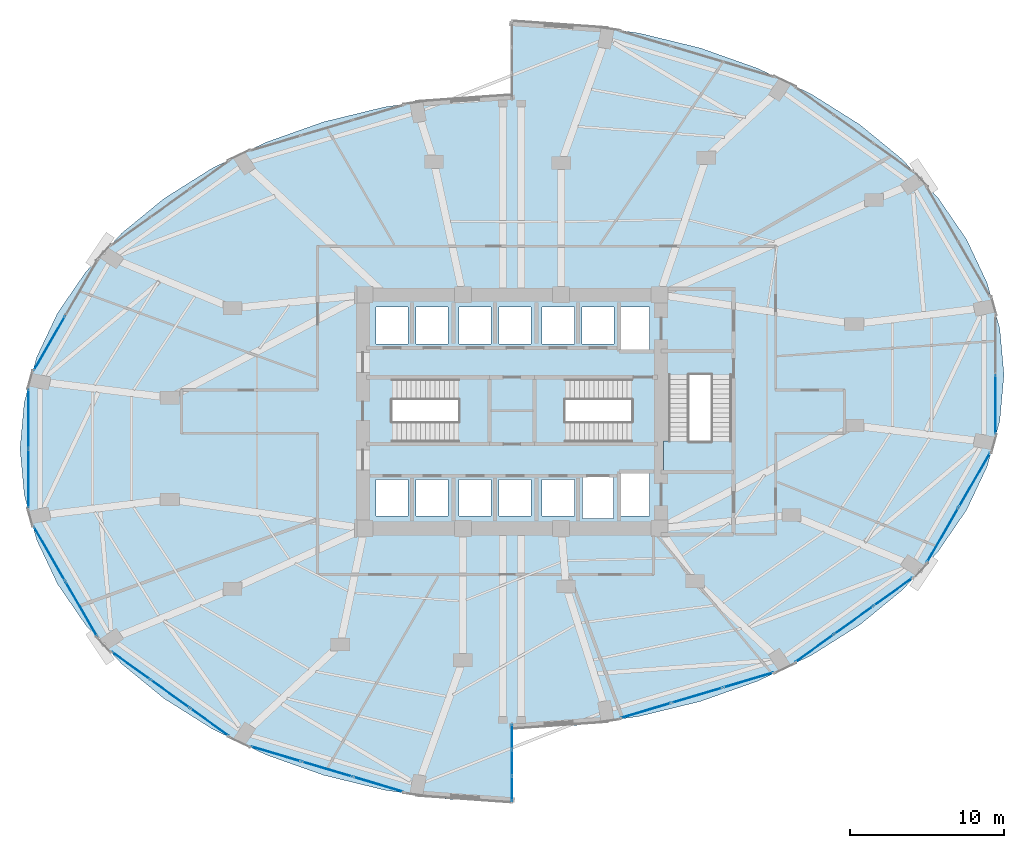
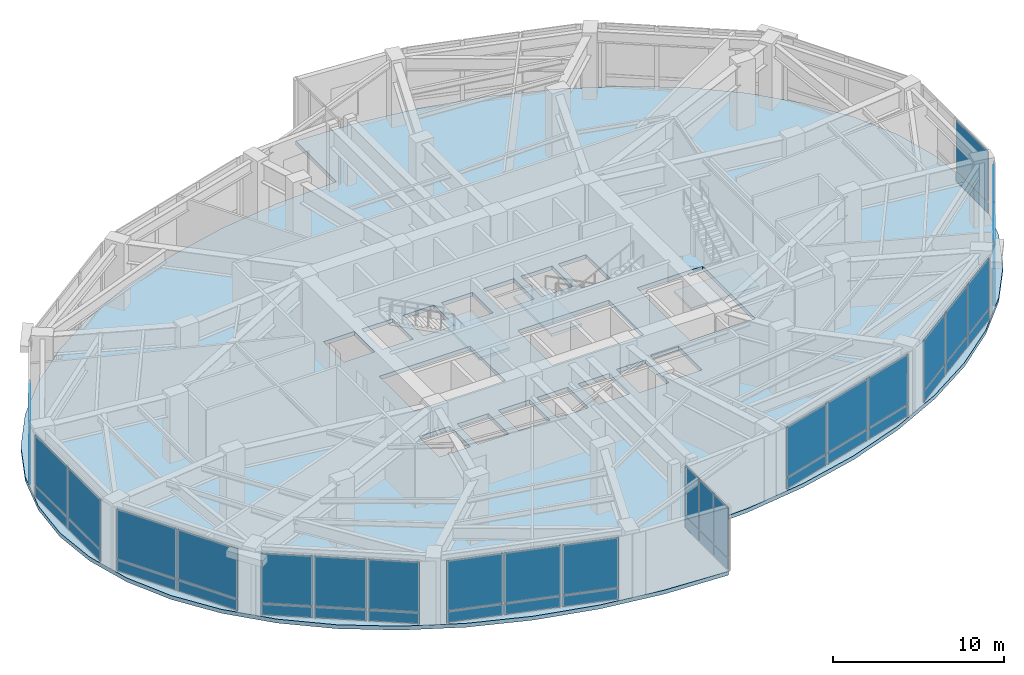
# One storey, part 19 of 24: 46 plates, 4 slabs, 13 elements without a shape of their own.
"""IFC4 building model written with IfcOpenShell, lengths in metres."""

from ifc_helpers import new_model, si_unit, direction, frame, origin, origin_2d, place, context, subcontext, project, spatial, polyline, rectangle, outline, extrude, material, layer, layer_set, type_object, element, aggregate, save


model = new_model("IFC4")

# Units and contexts
model_context = context("Model", 3, precision=1e-05, world=origin(), true_north=direction((0.0, 1.0)))
body_context = subcontext(model_context, "Body", "Model", "MODEL_VIEW")
ifc_project = project(units=[si_unit("LENGTHUNIT", "METRE"), si_unit("AREAUNIT", "SQUARE_METRE"), si_unit("VOLUMEUNIT", "CUBIC_METRE"), si_unit("PLANEANGLEUNIT", "RADIAN"), si_unit("MASSUNIT", "GRAM", prefix="KILO")], contexts=[model_context])

# Site, building, storey
site_placement = place(None, origin())
site = spatial("IfcSite", under=ifc_project, at=site_placement, CompositionType="ELEMENT")
building_placement = place(site_placement, origin())
building = spatial("IfcBuilding", under=site, at=building_placement, Name="Lazwardi Medical Tower", CompositionType="ELEMENT")
storey_placement = place(building_placement, frame((0.0, 0.0, 20.39990234375)))
storey = spatial("IfcBuildingStorey", under=building, at=storey_placement, Name="L04", CompositionType="ELEMENT", Elevation=20.39990234375)

# Curtain wall, plates
ifc_material_1 = material(Name="Anodised bronze aluminium and solar control glazing", Category="aluminium")
ifc_layer_1 = layer(ifc_material_1, 0.219970703125)
ifc_layer_set_1 = layer_set([ifc_layer_1], Name="Anodised bronze aluminium and solar control glazing")
curtain_wall_type_1 = type_object("IfcCurtainWallType", Name="CW-SYS-01", PredefinedType="NOTDEFINED", material=ifc_layer_set_1)
curtain_wall_1_placement = place(storey_placement, origin())
curtain_wall_1 = element("IfcCurtainWall", 1, at=curtain_wall_1_placement, inside=storey, type_object=curtain_wall_type_1, Name="L04 Unitised bronze curtain wall CW-01", PredefinedType="NOTDEFINED")
ifc_material_2 = material(Name="Bronze girih ceramic-frit spandrel glazing", Category="glass")
ifc_layer_2 = layer(ifc_material_2, 0.048095703125)
ifc_layer_set_2 = layer_set([ifc_layer_2], Name="Bronze girih ceramic-frit spandrel glazing")
plate_type_1 = type_object("IfcPlateType", Name="PLT-FRT-01", PredefinedType="CURTAIN_PANEL", material=ifc_layer_set_2)
plate_1_placement = place(storey_placement, frame((44.689453125, 8.552001953125, 0.085205078125), z_axis=(0.0, 0.0, 1.0), x_axis=(0.958513482597, 0.285047195531, 0.0)))
plate_1 = element("IfcPlate", 2, at=plate_1_placement, type_object=plate_type_1, Name="CW-01 panel 1.1", PredefinedType="CURTAIN_PANEL", context=body_context, shape_type="SweptSolid", body=[
    extrude(rectangle(XDim=3.380126953125, YDim=0.048095703125, at=origin_2d()), origin(), (0.0, 0.0, 1.0), 0.7724609375),
])
plate_2_placement = place(storey_placement, frame((48.031494140625, 9.5458984375, 0.085205078125), z_axis=(0.0, 0.0, 1.0), x_axis=(0.958513482597, 0.285047195531, 0.0)))
plate_2 = element("IfcPlate", 3, at=plate_2_placement, type_object=plate_type_1, Name="CW-01 panel 2.1", PredefinedType="CURTAIN_PANEL", context=body_context, shape_type="SweptSolid", body=[
    extrude(rectangle(XDim=3.422607421875, YDim=0.048095703125, at=origin_2d()), origin(), (0.0, 0.0, 1.0), 0.7724609375),
])
plate_3_placement = place(storey_placement, frame((51.373291015625, 10.539794921875, 0.085205078125), z_axis=(0.0, 0.0, 1.0), x_axis=(0.958513482597, 0.285047195531, 0.0)))
plate_3 = element("IfcPlate", 4, at=plate_3_placement, type_object=plate_type_1, Name="CW-01 panel 3.1", PredefinedType="CURTAIN_PANEL", context=body_context, shape_type="SweptSolid", body=[
    extrude(rectangle(XDim=3.380126953125, YDim=0.048095703125, at=origin_2d()), origin(), (0.0, 0.0, 1.0), 0.7724609375),
])

curtain_wall_2_placement = place(storey_placement, origin())
curtain_wall_2 = element("IfcCurtainWall", 5, at=curtain_wall_2_placement, inside=storey, type_object=curtain_wall_type_1, Name="L04 Unitised bronze curtain wall CW-01", PredefinedType="NOTDEFINED")
plate_4_placement = place(storey_placement, frame((55.675048828125, 12.603759765625, 0.085205078125), z_axis=(0.0, 0.0, 1.0), x_axis=(0.812318365083, 0.583214260584, 0.0)))
plate_4 = element("IfcPlate", 6, at=plate_4_placement, type_object=plate_type_1, Name="CW-01 panel 1.1", PredefinedType="CURTAIN_PANEL", context=body_context, shape_type="SweptSolid", body=[
    extrude(rectangle(XDim=3.040283203125, YDim=0.048095703125, at=origin_2d()), origin(), (0.0, 0.0, 1.0), 0.7724609375),
])
plate_5_placement = place(storey_placement, frame((58.231201171875, 14.43896484375, 0.085205078125), z_axis=(0.0, 0.0, 1.0), x_axis=(0.812318365083, 0.583214260584, 0.0)))
plate_5 = element("IfcPlate", 7, at=plate_5_placement, type_object=plate_type_1, Name="CW-01 panel 2.1", PredefinedType="CURTAIN_PANEL", context=body_context, shape_type="SweptSolid", body=[
    extrude(rectangle(XDim=3.082763671875, YDim=0.048095703125, at=origin_2d()), origin(), (0.0, 0.0, 1.0), 0.7724609375),
])
plate_6_placement = place(storey_placement, frame((60.787109375, 16.274169921875, 0.085205078125), z_axis=(0.0, 0.0, 1.0), x_axis=(0.812318365083, 0.583214260584, 0.0)))
plate_6 = element("IfcPlate", 8, at=plate_6_placement, type_object=plate_type_1, Name="CW-01 panel 3.1", PredefinedType="CURTAIN_PANEL", context=body_context, shape_type="SweptSolid", body=[
    extrude(rectangle(XDim=3.040283203125, YDim=0.048095703125, at=origin_2d()), origin(), (0.0, 0.0, 1.0), 0.7724609375),
])

curtain_wall_3_placement = place(storey_placement, origin())
curtain_wall_3 = element("IfcCurtainWall", 9, at=curtain_wall_3_placement, inside=storey, type_object=curtain_wall_type_1, Name="L04 Unitised bronze curtain wall CW-01", PredefinedType="NOTDEFINED")
plate_7_placement = place(storey_placement, frame((64.012451171875, 19.969970703125, 0.085205078125), z_axis=(0.0, 0.0, 1.0), x_axis=(0.499731082384, 0.866180607783, 0.0)))
plate_7 = element("IfcPlate", 10, at=plate_7_placement, type_object=plate_type_1, Name="CW-01 panel 1.1", PredefinedType="CURTAIN_PANEL", context=body_context, shape_type="SweptSolid", body=[
    extrude(rectangle(XDim=4.052734375, YDim=0.048095703125, at=origin_2d()), origin(), (0.0, 0.0, 1.0), 0.7724609375),
])
plate_8_placement = place(storey_placement, frame((66.080322265625, 23.553955078125, 0.085205078125), z_axis=(0.0, 0.0, 1.0), x_axis=(0.499731082384, 0.866180607783, 0.0)))
plate_8 = element("IfcPlate", 11, at=plate_8_placement, type_object=plate_type_1, Name="CW-01 panel 2.1", PredefinedType="CURTAIN_PANEL", context=body_context, shape_type="SweptSolid", body=[
    extrude(rectangle(XDim=4.052734375, YDim=0.048095703125, at=origin_2d()), origin(), (0.0, 0.0, 1.0), 0.7724609375),
])

# Curtain wall, plate
curtain_wall_4_placement = place(storey_placement, origin())
curtain_wall_4 = element("IfcCurtainWall", 12, at=curtain_wall_4_placement, inside=storey, type_object=curtain_wall_type_1, Name="L04 Unitised bronze curtain wall CW-01", PredefinedType="NOTDEFINED")
plate_9_placement = place(storey_placement, frame((67.439697265625, 28.461669921875, 0.085205078125), z_axis=(0.0, 0.0, 1.0), x_axis=(0.0, 1.0, 0.0)))
plate_9 = element("IfcPlate", 13, at=plate_9_placement, type_object=plate_type_1, Name="CW-01 panel 1.1", PredefinedType="CURTAIN_PANEL", context=body_context, shape_type="SweptSolid", body=[
    extrude(rectangle(XDim=3.791748046875, YDim=0.048095703125, at=origin_2d()), origin(), (0.0, 0.0, 1.0), 0.7724609375),
])

curtain_wall_5_placement = place(storey_placement, origin())
curtain_wall_5 = element("IfcCurtainWall", 14, at=curtain_wall_5_placement, inside=storey, type_object=curtain_wall_type_1, Name="L04 Unitised bronze curtain wall CW-01", PredefinedType="NOTDEFINED")
plate_10_placement = place(storey_placement, frame((5.919677734375, 32.446044921875, 0.085205078125), z_axis=(0.0, 0.0, 1.0), x_axis=(-0.499731082384, -0.866180607783, 0.0)))
plate_10 = element("IfcPlate", 15, at=plate_10_placement, type_object=plate_type_1, Name="CW-01 panel 2.1", PredefinedType="CURTAIN_PANEL", context=body_context, shape_type="SweptSolid", body=[
    extrude(rectangle(XDim=4.052734375, YDim=0.048095703125, at=origin_2d()), origin(), (0.0, 0.0, 1.0), 0.7724609375),
])

# Curtain wall, plates
curtain_wall_6_placement = place(storey_placement, origin())
curtain_wall_6 = element("IfcCurtainWall", 16, at=curtain_wall_6_placement, inside=storey, type_object=curtain_wall_type_1, Name="L04 Unitised bronze curtain wall CW-01", PredefinedType="NOTDEFINED")
plate_11_placement = place(storey_placement, frame((4.560302734375, 27.538330078125, 0.085205078125), z_axis=(0.0, 0.0, 1.0), x_axis=(0.0, -1.0, 0.0)))
plate_11 = element("IfcPlate", 17, at=plate_11_placement, type_object=plate_type_1, Name="CW-01 panel 1.1", PredefinedType="CURTAIN_PANEL", context=body_context, shape_type="SweptSolid", body=[
    extrude(rectangle(XDim=3.791748046875, YDim=0.048095703125, at=origin_2d()), origin(), (0.0, 0.0, 1.0), 0.7724609375),
])
plate_12_placement = place(storey_placement, frame((4.560302734375, 23.66162109375, 0.085205078125), z_axis=(0.0, 0.0, 1.0), x_axis=(0.0, -1.0, 0.0)))
plate_12 = element("IfcPlate", 18, at=plate_12_placement, type_object=plate_type_1, Name="CW-01 panel 2.1", PredefinedType="CURTAIN_PANEL", context=body_context, shape_type="SweptSolid", body=[
    extrude(rectangle(XDim=3.791748046875, YDim=0.048095703125, at=origin_2d()), origin(), (0.0, 0.0, 1.0), 0.7724609375),
])

curtain_wall_7_placement = place(storey_placement, origin())
curtain_wall_7 = element("IfcCurtainWall", 19, at=curtain_wall_7_placement, inside=storey, type_object=curtain_wall_type_1, Name="L04 Unitised bronze curtain wall CW-01", PredefinedType="NOTDEFINED")
plate_13_placement = place(storey_placement, frame((5.919677734375, 18.75390625, 0.085205078125), z_axis=(0.0, 0.0, 1.0), x_axis=(0.499731082384, -0.866180607783, 0.0)))
plate_13 = element("IfcPlate", 20, at=plate_13_placement, type_object=plate_type_1, Name="CW-01 panel 1.1", PredefinedType="CURTAIN_PANEL", context=body_context, shape_type="SweptSolid", body=[
    extrude(rectangle(XDim=4.052734375, YDim=0.048095703125, at=origin_2d()), origin(), (0.0, 0.0, 1.0), 0.7724609375),
])
plate_14_placement = place(storey_placement, frame((7.987548828125, 15.169921875, 0.085205078125), z_axis=(0.0, 0.0, 1.0), x_axis=(0.499731082384, -0.866180607783, 0.0)))
plate_14 = element("IfcPlate", 21, at=plate_14_placement, type_object=plate_type_1, Name="CW-01 panel 2.1", PredefinedType="CURTAIN_PANEL", context=body_context, shape_type="SweptSolid", body=[
    extrude(rectangle(XDim=4.052734375, YDim=0.048095703125, at=origin_2d()), origin(), (0.0, 0.0, 1.0), 0.7724609375),
])

curtain_wall_8_placement = place(storey_placement, origin())
curtain_wall_8 = element("IfcCurtainWall", 22, at=curtain_wall_8_placement, inside=storey, type_object=curtain_wall_type_1, Name="L04 Unitised bronze curtain wall CW-01", PredefinedType="NOTDEFINED")
plate_15_placement = place(storey_placement, frame((11.212890625, 11.47412109375, 0.085205078125), z_axis=(0.0, 0.0, 1.0), x_axis=(0.812318365083, -0.583214260584, 0.0)))
plate_15 = element("IfcPlate", 23, at=plate_15_placement, type_object=plate_type_1, Name="CW-01 panel 1.1", PredefinedType="CURTAIN_PANEL", context=body_context, shape_type="SweptSolid", body=[
    extrude(rectangle(XDim=3.040283203125, YDim=0.048095703125, at=origin_2d()), origin(), (0.0, 0.0, 1.0), 0.7724609375),
])
plate_16_placement = place(storey_placement, frame((13.768798828125, 9.638916015625, 0.085205078125), z_axis=(0.0, 0.0, 1.0), x_axis=(0.812318365083, -0.583214260584, 0.0)))
plate_16 = element("IfcPlate", 24, at=plate_16_placement, type_object=plate_type_1, Name="CW-01 panel 2.1", PredefinedType="CURTAIN_PANEL", context=body_context, shape_type="SweptSolid", body=[
    extrude(rectangle(XDim=3.082763671875, YDim=0.048095703125, at=origin_2d()), origin(), (0.0, 0.0, 1.0), 0.7724609375),
])
plate_17_placement = place(storey_placement, frame((16.324951171875, 7.803955078125, 0.085205078125), z_axis=(0.0, 0.0, 1.0), x_axis=(0.812318365083, -0.583214260584, 0.0)))
plate_17 = element("IfcPlate", 25, at=plate_17_placement, type_object=plate_type_1, Name="CW-01 panel 3.1", PredefinedType="CURTAIN_PANEL", context=body_context, shape_type="SweptSolid", body=[
    extrude(rectangle(XDim=3.040283203125, YDim=0.048095703125, at=origin_2d()), origin(), (0.0, 0.0, 1.0), 0.7724609375),
])

curtain_wall_9_placement = place(storey_placement, origin())
curtain_wall_9 = element("IfcCurtainWall", 26, at=curtain_wall_9_placement, inside=storey, type_object=curtain_wall_type_1, Name="L04 Unitised bronze curtain wall CW-01", PredefinedType="NOTDEFINED")
plate_18_placement = place(storey_placement, frame((20.626708984375, 5.73974609375, 0.085205078125), z_axis=(0.0, 0.0, 1.0), x_axis=(0.958513482597, -0.285047195531, 0.0)))
plate_18 = element("IfcPlate", 27, at=plate_18_placement, type_object=plate_type_1, Name="CW-01 panel 1.1", PredefinedType="CURTAIN_PANEL", context=body_context, shape_type="SweptSolid", body=[
    extrude(rectangle(XDim=3.380126953125, YDim=0.048095703125, at=origin_2d()), origin(), (0.0, 0.0, 1.0), 0.7724609375),
])
plate_19_placement = place(storey_placement, frame((23.968505859375, 4.745849609375, 0.085205078125), z_axis=(0.0, 0.0, 1.0), x_axis=(0.958513482597, -0.285047195531, 0.0)))
plate_19 = element("IfcPlate", 28, at=plate_19_placement, type_object=plate_type_1, Name="CW-01 panel 2.1", PredefinedType="CURTAIN_PANEL", context=body_context, shape_type="SweptSolid", body=[
    extrude(rectangle(XDim=3.422607421875, YDim=0.048095703125, at=origin_2d()), origin(), (0.0, 0.0, 1.0), 0.7724609375),
])
plate_20_placement = place(storey_placement, frame((27.310546875, 3.752197265625, 0.085205078125), z_axis=(0.0, 0.0, 1.0), x_axis=(0.958513482597, -0.285047195531, 0.0)))
plate_20 = element("IfcPlate", 29, at=plate_20_placement, type_object=plate_type_1, Name="CW-01 panel 3.1", PredefinedType="CURTAIN_PANEL", context=body_context, shape_type="SweptSolid", body=[
    extrude(rectangle(XDim=3.380126953125, YDim=0.048095703125, at=origin_2d()), origin(), (0.0, 0.0, 1.0), 0.7724609375),
])

# Plate
ifc_material_3 = material(Name="Laminated acoustic bronze double glazing", Category="glass")
ifc_layer_3 = layer(ifc_material_3, 0.0419921875)
ifc_layer_set_3 = layer_set([ifc_layer_3], Name="Laminated acoustic bronze double glazing")
plate_type_2 = type_object("IfcPlateType", Name="PLT-GLZ-02", PredefinedType="CURTAIN_PANEL", material=ifc_layer_set_3)
plate_21_placement = place(storey_placement, frame((44.689453125, 8.552001953125, 0.9423828125), z_axis=(0.0, 0.0, 1.0), x_axis=(0.958513482597, 0.285047195531, 0.0)))
plate_21 = element("IfcPlate", 30, at=plate_21_placement, type_object=plate_type_2, Name="CW-01 panel 1.2", PredefinedType="CURTAIN_PANEL", context=body_context, shape_type="SweptSolid", body=[
    extrude(rectangle(XDim=3.380126953125, YDim=0.0419921875, at=origin_2d()), origin(), (0.0, 0.0, 1.0), 3.552490234375),
])

plate_22_placement = place(storey_placement, frame((48.031494140625, 9.5458984375, 0.9423828125), z_axis=(0.0, 0.0, 1.0), x_axis=(0.958513482597, 0.285047195531, 0.0)))
plate_22 = element("IfcPlate", 31, at=plate_22_placement, type_object=plate_type_2, Name="CW-01 panel 2.2", PredefinedType="CURTAIN_PANEL", context=body_context, shape_type="SweptSolid", body=[
    extrude(rectangle(XDim=3.422607421875, YDim=0.0419921875, at=origin_2d()), origin(), (0.0, 0.0, 1.0), 3.552490234375),
])

plate_23_placement = place(storey_placement, frame((51.373291015625, 10.539794921875, 0.9423828125), z_axis=(0.0, 0.0, 1.0), x_axis=(0.958513482597, 0.285047195531, 0.0)))
plate_23 = element("IfcPlate", 32, at=plate_23_placement, type_object=plate_type_2, Name="CW-01 panel 3.2", PredefinedType="CURTAIN_PANEL", context=body_context, shape_type="SweptSolid", body=[
    extrude(rectangle(XDim=3.380126953125, YDim=0.0419921875, at=origin_2d()), origin(), (0.0, 0.0, 1.0), 3.552490234375),
])

aggregate(curtain_wall_1, [plate_1, plate_21, plate_2, plate_22, plate_3, plate_23])

plate_24_placement = place(storey_placement, frame((55.675048828125, 12.603759765625, 0.9423828125), z_axis=(0.0, 0.0, 1.0), x_axis=(0.812318365083, 0.583214260584, 0.0)))
plate_24 = element("IfcPlate", 33, at=plate_24_placement, type_object=plate_type_2, Name="CW-01 panel 1.2", PredefinedType="CURTAIN_PANEL", context=body_context, shape_type="SweptSolid", body=[
    extrude(rectangle(XDim=3.040283203125, YDim=0.0419921875, at=origin_2d()), origin(), (0.0, 0.0, 1.0), 3.552490234375),
])

plate_25_placement = place(storey_placement, frame((58.231201171875, 14.43896484375, 0.9423828125), z_axis=(0.0, 0.0, 1.0), x_axis=(0.812318365083, 0.583214260584, 0.0)))
plate_25 = element("IfcPlate", 34, at=plate_25_placement, type_object=plate_type_2, Name="CW-01 panel 2.2", PredefinedType="CURTAIN_PANEL", context=body_context, shape_type="SweptSolid", body=[
    extrude(rectangle(XDim=3.082763671875, YDim=0.0419921875, at=origin_2d()), origin(), (0.0, 0.0, 1.0), 3.552490234375),
])

plate_26_placement = place(storey_placement, frame((60.787109375, 16.274169921875, 0.9423828125), z_axis=(0.0, 0.0, 1.0), x_axis=(0.812318365083, 0.583214260584, 0.0)))
plate_26 = element("IfcPlate", 35, at=plate_26_placement, type_object=plate_type_2, Name="CW-01 panel 3.2", PredefinedType="CURTAIN_PANEL", context=body_context, shape_type="SweptSolid", body=[
    extrude(rectangle(XDim=3.040283203125, YDim=0.0419921875, at=origin_2d()), origin(), (0.0, 0.0, 1.0), 3.552490234375),
])

aggregate(curtain_wall_2, [plate_4, plate_24, plate_5, plate_25, plate_6, plate_26])

plate_27_placement = place(storey_placement, frame((64.012451171875, 19.969970703125, 0.9423828125), z_axis=(0.0, 0.0, 1.0), x_axis=(0.499731082384, 0.866180607783, 0.0)))
plate_27 = element("IfcPlate", 36, at=plate_27_placement, type_object=plate_type_2, Name="CW-01 panel 1.2", PredefinedType="CURTAIN_PANEL", context=body_context, shape_type="SweptSolid", body=[
    extrude(rectangle(XDim=4.052734375, YDim=0.0419921875, at=origin_2d()), origin(), (0.0, 0.0, 1.0), 3.552490234375),
])

plate_28_placement = place(storey_placement, frame((66.080322265625, 23.553955078125, 0.9423828125), z_axis=(0.0, 0.0, 1.0), x_axis=(0.499731082384, 0.866180607783, 0.0)))
plate_28 = element("IfcPlate", 37, at=plate_28_placement, type_object=plate_type_2, Name="CW-01 panel 2.2", PredefinedType="CURTAIN_PANEL", context=body_context, shape_type="SweptSolid", body=[
    extrude(rectangle(XDim=4.052734375, YDim=0.0419921875, at=origin_2d()), origin(), (0.0, 0.0, 1.0), 3.552490234375),
])

aggregate(curtain_wall_3, [plate_7, plate_27, plate_8, plate_28])

plate_29_placement = place(storey_placement, frame((67.439697265625, 28.461669921875, 0.9423828125), z_axis=(0.0, 0.0, 1.0), x_axis=(0.0, 1.0, 0.0)))
plate_29 = element("IfcPlate", 38, at=plate_29_placement, type_object=plate_type_2, Name="CW-01 panel 1.2", PredefinedType="CURTAIN_PANEL", context=body_context, shape_type="SweptSolid", body=[
    extrude(rectangle(XDim=3.791748046875, YDim=0.0419921875, at=origin_2d()), origin(), (0.0, 0.0, 1.0), 3.552490234375),
])

aggregate(curtain_wall_4, [plate_9, plate_29])

plate_30_placement = place(storey_placement, frame((5.919677734375, 32.446044921875, 0.9423828125), z_axis=(0.0, 0.0, 1.0), x_axis=(-0.499731082384, -0.866180607783, 0.0)))
plate_30 = element("IfcPlate", 39, at=plate_30_placement, type_object=plate_type_2, Name="CW-01 panel 2.2", PredefinedType="CURTAIN_PANEL", context=body_context, shape_type="SweptSolid", body=[
    extrude(rectangle(XDim=4.052734375, YDim=0.0419921875, at=origin_2d()), origin(), (0.0, 0.0, 1.0), 3.552490234375),
])

aggregate(curtain_wall_5, [plate_10, plate_30])

plate_31_placement = place(storey_placement, frame((4.560302734375, 27.538330078125, 0.9423828125), z_axis=(0.0, 0.0, 1.0), x_axis=(0.0, -1.0, 0.0)))
plate_31 = element("IfcPlate", 40, at=plate_31_placement, type_object=plate_type_2, Name="CW-01 panel 1.2", PredefinedType="CURTAIN_PANEL", context=body_context, shape_type="SweptSolid", body=[
    extrude(rectangle(XDim=3.791748046875, YDim=0.0419921875, at=origin_2d()), origin(), (0.0, 0.0, 1.0), 3.552490234375),
])

plate_32_placement = place(storey_placement, frame((4.560302734375, 23.66162109375, 0.9423828125), z_axis=(0.0, 0.0, 1.0), x_axis=(0.0, -1.0, 0.0)))
plate_32 = element("IfcPlate", 41, at=plate_32_placement, type_object=plate_type_2, Name="CW-01 panel 2.2", PredefinedType="CURTAIN_PANEL", context=body_context, shape_type="SweptSolid", body=[
    extrude(rectangle(XDim=3.791748046875, YDim=0.0419921875, at=origin_2d()), origin(), (0.0, 0.0, 1.0), 3.552490234375),
])

aggregate(curtain_wall_6, [plate_11, plate_31, plate_12, plate_32])

plate_33_placement = place(storey_placement, frame((5.919677734375, 18.75390625, 0.9423828125), z_axis=(0.0, 0.0, 1.0), x_axis=(0.499731082384, -0.866180607783, 0.0)))
plate_33 = element("IfcPlate", 42, at=plate_33_placement, type_object=plate_type_2, Name="CW-01 panel 1.2", PredefinedType="CURTAIN_PANEL", context=body_context, shape_type="SweptSolid", body=[
    extrude(rectangle(XDim=4.052734375, YDim=0.0419921875, at=origin_2d()), origin(), (0.0, 0.0, 1.0), 3.552490234375),
])

plate_34_placement = place(storey_placement, frame((7.987548828125, 15.169921875, 0.9423828125), z_axis=(0.0, 0.0, 1.0), x_axis=(0.499731082384, -0.866180607783, 0.0)))
plate_34 = element("IfcPlate", 43, at=plate_34_placement, type_object=plate_type_2, Name="CW-01 panel 2.2", PredefinedType="CURTAIN_PANEL", context=body_context, shape_type="SweptSolid", body=[
    extrude(rectangle(XDim=4.052734375, YDim=0.0419921875, at=origin_2d()), origin(), (0.0, 0.0, 1.0), 3.552490234375),
])

aggregate(curtain_wall_7, [plate_13, plate_33, plate_14, plate_34])

plate_35_placement = place(storey_placement, frame((11.212890625, 11.47412109375, 0.9423828125), z_axis=(0.0, 0.0, 1.0), x_axis=(0.812318365083, -0.583214260584, 0.0)))
plate_35 = element("IfcPlate", 44, at=plate_35_placement, type_object=plate_type_2, Name="CW-01 panel 1.2", PredefinedType="CURTAIN_PANEL", context=body_context, shape_type="SweptSolid", body=[
    extrude(rectangle(XDim=3.040283203125, YDim=0.0419921875, at=origin_2d()), origin(), (0.0, 0.0, 1.0), 3.552490234375),
])

plate_36_placement = place(storey_placement, frame((13.768798828125, 9.638916015625, 0.9423828125), z_axis=(0.0, 0.0, 1.0), x_axis=(0.812318365083, -0.583214260584, 0.0)))
plate_36 = element("IfcPlate", 45, at=plate_36_placement, type_object=plate_type_2, Name="CW-01 panel 2.2", PredefinedType="CURTAIN_PANEL", context=body_context, shape_type="SweptSolid", body=[
    extrude(rectangle(XDim=3.082763671875, YDim=0.0419921875, at=origin_2d()), origin(), (0.0, 0.0, 1.0), 3.552490234375),
])

plate_37_placement = place(storey_placement, frame((16.324951171875, 7.803955078125, 0.9423828125), z_axis=(0.0, 0.0, 1.0), x_axis=(0.812318365083, -0.583214260584, 0.0)))
plate_37 = element("IfcPlate", 46, at=plate_37_placement, type_object=plate_type_2, Name="CW-01 panel 3.2", PredefinedType="CURTAIN_PANEL", context=body_context, shape_type="SweptSolid", body=[
    extrude(rectangle(XDim=3.040283203125, YDim=0.0419921875, at=origin_2d()), origin(), (0.0, 0.0, 1.0), 3.552490234375),
])

aggregate(curtain_wall_8, [plate_15, plate_35, plate_16, plate_36, plate_17, plate_37])

plate_38_placement = place(storey_placement, frame((20.626708984375, 5.73974609375, 0.9423828125), z_axis=(0.0, 0.0, 1.0), x_axis=(0.958513482597, -0.285047195531, 0.0)))
plate_38 = element("IfcPlate", 47, at=plate_38_placement, type_object=plate_type_2, Name="CW-01 panel 1.2", PredefinedType="CURTAIN_PANEL", context=body_context, shape_type="SweptSolid", body=[
    extrude(rectangle(XDim=3.380126953125, YDim=0.0419921875, at=origin_2d()), origin(), (0.0, 0.0, 1.0), 3.552490234375),
])

plate_39_placement = place(storey_placement, frame((23.968505859375, 4.745849609375, 0.9423828125), z_axis=(0.0, 0.0, 1.0), x_axis=(0.958513482597, -0.285047195531, 0.0)))
plate_39 = element("IfcPlate", 48, at=plate_39_placement, type_object=plate_type_2, Name="CW-01 panel 2.2", PredefinedType="CURTAIN_PANEL", context=body_context, shape_type="SweptSolid", body=[
    extrude(rectangle(XDim=3.422607421875, YDim=0.0419921875, at=origin_2d()), origin(), (0.0, 0.0, 1.0), 3.552490234375),
])

plate_40_placement = place(storey_placement, frame((27.310546875, 3.752197265625, 0.9423828125), z_axis=(0.0, 0.0, 1.0), x_axis=(0.958513482597, -0.285047195531, 0.0)))
plate_40 = element("IfcPlate", 49, at=plate_40_placement, type_object=plate_type_2, Name="CW-01 panel 3.2", PredefinedType="CURTAIN_PANEL", context=body_context, shape_type="SweptSolid", body=[
    extrude(rectangle(XDim=3.380126953125, YDim=0.0419921875, at=origin_2d()), origin(), (0.0, 0.0, 1.0), 3.552490234375),
])

aggregate(curtain_wall_9, [plate_18, plate_38, plate_19, plate_39, plate_20, plate_40])

# Curtain wall, plates
ifc_layer_4 = layer(ifc_material_1, 0.2099609375)
ifc_layer_set_4 = layer_set([ifc_layer_4], Name="Anodised bronze aluminium and solar control glazing")
curtain_wall_type_2 = type_object("IfcCurtainWallType", Name="CW-SYS-06", PredefinedType="NOTDEFINED", material=ifc_layer_set_4)
curtain_wall_10_placement = place(storey_placement, origin())
curtain_wall_10 = element("IfcCurtainWall", 50, at=curtain_wall_10_placement, inside=storey, type_object=curtain_wall_type_2, Name="L04 Unitised bronze curtain wall CW-06", PredefinedType="NOTDEFINED")
ifc_material_4 = material(Name="Turquoise glazed ceramic insulated panel", Category="glass")
ifc_layer_5 = layer(ifc_material_4, 0.053955078125)
ifc_layer_set_5 = layer_set([ifc_layer_5], Name="Turquoise glazed ceramic insulated panel")
plate_type_3 = type_object("IfcPlateType", Name="PLT-TRQ-01", PredefinedType="CURTAIN_PANEL", material=ifc_layer_set_5)
plate_41_placement = place(storey_placement, frame((36.0, 3.47216796875, 0.074951171875), z_axis=(0.0, 0.0, 1.0), x_axis=(0.0, 1.0, 0.0)))
plate_41 = element("IfcPlate", 51, at=plate_41_placement, type_object=plate_type_3, Name="CW-06 panel 1.1", PredefinedType="CURTAIN_PANEL", context=body_context, shape_type="SweptSolid", body=[
    extrude(rectangle(XDim=1.59423828125, YDim=0.053955078125, at=origin_2d()), origin(), (0.0, 0.0, 1.0), 0.78759765625),
])
plate_42_placement = place(storey_placement, frame((36.0, 3.47216796875, 0.937744140625), z_axis=(0.0, 0.0, 1.0), x_axis=(0.0, 1.0, 0.0)))
plate_42 = element("IfcPlate", 52, at=plate_42_placement, type_object=plate_type_3, Name="CW-06 panel 1.2", PredefinedType="CURTAIN_PANEL", context=body_context, shape_type="SweptSolid", body=[
    extrude(rectangle(XDim=1.59423828125, YDim=0.053955078125, at=origin_2d()), origin(), (0.0, 0.0, 1.0), 3.5673828125),
])
plate_43_placement = place(storey_placement, frame((36.0, 5.159912109375, 0.074951171875), z_axis=(0.0, 0.0, 1.0), x_axis=(0.0, 1.0, 0.0)))
plate_43 = element("IfcPlate", 53, at=plate_43_placement, type_object=plate_type_3, Name="CW-06 panel 2.1", PredefinedType="CURTAIN_PANEL", context=body_context, shape_type="SweptSolid", body=[
    extrude(rectangle(XDim=1.631591796875, YDim=0.053955078125, at=origin_2d()), origin(), (0.0, 0.0, 1.0), 0.78759765625),
])
plate_44_placement = place(storey_placement, frame((36.0, 5.159912109375, 0.937744140625), z_axis=(0.0, 0.0, 1.0), x_axis=(0.0, 1.0, 0.0)))
plate_44 = element("IfcPlate", 54, at=plate_44_placement, type_object=plate_type_3, Name="CW-06 panel 2.2", PredefinedType="CURTAIN_PANEL", context=body_context, shape_type="SweptSolid", body=[
    extrude(rectangle(XDim=1.631591796875, YDim=0.053955078125, at=origin_2d()), origin(), (0.0, 0.0, 1.0), 3.5673828125),
])
plate_45_placement = place(storey_placement, frame((36.0, 6.847900390625, 0.074951171875), z_axis=(0.0, 0.0, 1.0), x_axis=(0.0, 1.0, 0.0)))
plate_45 = element("IfcPlate", 55, at=plate_45_placement, type_object=plate_type_3, Name="CW-06 panel 3.1", PredefinedType="CURTAIN_PANEL", context=body_context, shape_type="SweptSolid", body=[
    extrude(rectangle(XDim=1.59423828125, YDim=0.053955078125, at=origin_2d()), origin(), (0.0, 0.0, 1.0), 0.78759765625),
])
plate_46_placement = place(storey_placement, frame((36.0, 6.847900390625, 0.937744140625), z_axis=(0.0, 0.0, 1.0), x_axis=(0.0, 1.0, 0.0)))
plate_46 = element("IfcPlate", 56, at=plate_46_placement, type_object=plate_type_3, Name="CW-06 panel 3.2", PredefinedType="CURTAIN_PANEL", context=body_context, shape_type="SweptSolid", body=[
    extrude(rectangle(XDim=1.59423828125, YDim=0.053955078125, at=origin_2d()), origin(), (0.0, 0.0, 1.0), 3.5673828125),
])
aggregate(curtain_wall_10, [plate_41, plate_42, plate_43, plate_44, plate_45, plate_46])

# Stair, slab
ifc_material_5 = material(Name="Concrete C45/55", Category="concrete")
stair_type = type_object("IfcStairType", Name="STR-POD", PredefinedType="HALF_TURN_STAIR", material=ifc_material_5)
stair_1_placement = place(storey_placement, origin())
stair_1 = element("IfcStair", 57, at=stair_1_placement, inside=storey, type_object=stair_type, Name="L04 Protected Exit Stair ST1", PredefinedType="HALF_TURN_STAIR")
ifc_layer_6 = layer(ifc_material_5, 0.199951171875)
ifc_layer_set_6 = layer_set([ifc_layer_6], Name="Concrete C45/55")
slab_type_1 = type_object("IfcSlabType", Name="SLB-LND-190", PredefinedType="LANDING", material=ifc_layer_set_6)
slab_1_placement = place(storey_placement, frame((0.0, 0.0, 2.2001953125)))
slab_1 = element("IfcSlab", 58, at=slab_1_placement, type_object=slab_type_1, Name="ST1 landing 1", PredefinedType="LANDING", context=body_context, shape_type="SweptSolid", body=[
    extrude(outline(polyline([(32.514892578125, 25.840087890625), (34.580078125, 25.840087890625), (34.580078125, 30.280029296875), (32.514892578125, 30.280029296875), (32.514892578125, 25.840087890625)])), origin(), (0.0, 0.0, 1.0), 0.199951171875),
])
aggregate(stair_1, [slab_1])

stair_2_placement = place(storey_placement, origin())
stair_2 = element("IfcStair", 59, at=stair_2_placement, inside=storey, type_object=stair_type, Name="L04 Protected Exit Stair ST2", PredefinedType="HALF_TURN_STAIR")
slab_2_placement = place(storey_placement, frame((0.0, 0.0, 2.2001953125)))
slab_2 = element("IfcSlab", 60, at=slab_2_placement, type_object=slab_type_1, Name="ST2 landing 1", PredefinedType="LANDING", context=body_context, shape_type="SweptSolid", body=[
    extrude(outline(polyline([(39.485107421875, 30.280029296875), (37.419921875, 30.280029296875), (37.419921875, 25.840087890625), (39.485107421875, 25.840087890625), (39.485107421875, 30.280029296875)])), origin(), (0.0, 0.0, 1.0), 0.199951171875),
])
aggregate(stair_2, [slab_2])

stair_3_placement = place(storey_placement, origin())
stair_3 = element("IfcStair", 61, at=stair_3_placement, inside=storey, type_object=stair_type, Name="L04 Protected Exit Stair ST3", PredefinedType="HALF_TURN_STAIR")
slab_3_placement = place(storey_placement, frame((0.0, 0.0, 2.2001953125)))
slab_3 = element("IfcSlab", 62, at=slab_3_placement, type_object=slab_type_1, Name="ST3 landing 1", PredefinedType="LANDING", context=body_context, shape_type="SweptSolid", body=[
    extrude(outline(polyline([(45.860107421875, 26.0849609375), (45.860107421875, 24.02001953125), (50.4599609375, 24.02001953125), (50.4599609375, 26.0849609375), (45.860107421875, 26.0849609375)])), origin(), (0.0, 0.0, 1.0), 0.199951171875),
])
aggregate(stair_3, [slab_3])

# Slab
ifc_material_6 = material(Name="Concrete C50/60", Category="concrete")
ifc_layer_7 = layer(ifc_material_6, 0.280029296875)
ifc_layer_set_7 = layer_set([ifc_layer_7], Name="Concrete C50/60")
slab_type_2 = type_object("IfcSlabType", Name="SLB-POD-280", PredefinedType="FLOOR", material=ifc_layer_set_7)
slab_4_placement = place(storey_placement, frame((0.0, 0.0, -0.27978515625)))
element("IfcSlab", 63, at=slab_4_placement, inside=storey, type_object=slab_type_2, Name="Structural floor slab SF-01 L04", PredefinedType="FLOOR", context=body_context, shape_type="SweptSolid", body=[
    extrude(outline(polyline([(6.435791015625, 34.401611328125), (5.09033203125, 31.552734375), (4.273681640625, 28.60205078125), (4.0, 25.60009765625), (4.273681640625, 22.597900390625), (5.09033203125, 19.647216796875), (6.435791015625, 16.79833984375), (8.287109375, 14.10009765625), (10.61279296875, 11.598388671875), (13.37255859375, 9.33642578125), (16.51953125, 7.352783203125), (20.0, 5.681396484375), (23.754150390625, 4.350830078125), (27.7177734375, 3.3837890625), (31.8232421875, 2.796875), (36.0, 2.60009765625), (36.0, 7.39990234375), (40.1767578125, 7.5966796875), (44.2822265625, 8.18359375), (48.245849609375, 9.15087890625), (52.0, 10.4814453125), (55.48046875, 12.15283203125), (58.62744140625, 14.136474609375), (61.38720703125, 16.3984375), (63.712890625, 18.89990234375), (65.564208984375, 21.598388671875), (66.90966796875, 24.447265625), (67.726318359375, 27.39794921875), (68.0, 30.39990234375), (67.726318359375, 33.402099609375), (66.90966796875, 36.352783203125), (65.564208984375, 39.20166015625), (63.712890625, 41.89990234375), (61.38720703125, 44.401611328125), (58.62744140625, 46.66357421875), (55.48046875, 48.647216796875), (52.0, 50.318603515625), (48.245849609375, 51.649169921875), (44.2822265625, 52.6162109375), (40.1767578125, 53.203125), (36.0, 53.39990234375), (36.0, 48.60009765625), (31.8232421875, 48.4033203125), (27.7177734375, 47.81640625), (23.754150390625, 46.84912109375), (20.0, 45.5185546875), (16.51953125, 43.84716796875), (13.37255859375, 41.863525390625), (10.61279296875, 39.6015625), (8.287109375, 37.10009765625), (6.435791015625, 34.401611328125)]), holes=[polyline([(28.22509765625, 26.02001953125), (28.22509765625, 30.10009765625), (34.39990234375, 30.10009765625), (34.39990234375, 26.02001953125), (28.22509765625, 26.02001953125)]), polyline([(37.60009765625, 30.10009765625), (43.77490234375, 30.10009765625), (43.77490234375, 26.02001953125), (37.60009765625, 26.02001953125), (37.60009765625, 30.10009765625)]), polyline([(50.280029296875, 30.375), (50.280029296875, 24.179931640625), (45.840087890625, 24.179931640625), (45.840087890625, 30.375), (50.280029296875, 30.375)]), polyline([(29.25, 32.39990234375), (27.14990234375, 32.39990234375), (27.14990234375, 34.800048828125), (29.25, 34.800048828125), (29.25, 32.39990234375)]), polyline([(29.75, 32.39990234375), (29.75, 34.800048828125), (31.85009765625, 34.800048828125), (31.85009765625, 32.39990234375), (29.75, 32.39990234375)]), polyline([(27.14990234375, 23.60009765625), (29.25, 23.60009765625), (29.25, 21.199951171875), (27.14990234375, 21.199951171875), (27.14990234375, 23.60009765625)]), polyline([(31.85009765625, 23.60009765625), (31.85009765625, 21.199951171875), (29.75, 21.199951171875), (29.75, 23.60009765625), (31.85009765625, 23.60009765625)]), polyline([(34.64990234375, 32.39990234375), (32.550048828125, 32.39990234375), (32.550048828125, 34.800048828125), (34.64990234375, 34.800048828125), (34.64990234375, 32.39990234375)]), polyline([(35.14990234375, 32.39990234375), (35.14990234375, 34.800048828125), (37.25, 34.800048828125), (37.25, 32.39990234375), (35.14990234375, 32.39990234375)]), polyline([(32.550048828125, 23.60009765625), (34.64990234375, 23.60009765625), (34.64990234375, 21.199951171875), (32.550048828125, 21.199951171875), (32.550048828125, 23.60009765625)]), polyline([(37.25, 23.60009765625), (37.25, 21.199951171875), (35.14990234375, 21.199951171875), (35.14990234375, 23.60009765625), (37.25, 23.60009765625)]), polyline([(40.050048828125, 32.39990234375), (37.949951171875, 32.39990234375), (37.949951171875, 34.800048828125), (40.050048828125, 34.800048828125), (40.050048828125, 32.39990234375)]), polyline([(40.550048828125, 32.39990234375), (40.550048828125, 34.800048828125), (42.64990234375, 34.800048828125), (42.64990234375, 32.39990234375), (40.550048828125, 32.39990234375)]), polyline([(37.949951171875, 23.60009765625), (40.050048828125, 23.60009765625), (40.050048828125, 21.199951171875), (37.949951171875, 21.199951171875), (37.949951171875, 23.60009765625)]), polyline([(44.949951171875, 34.800048828125), (44.949951171875, 32.0), (43.050048828125, 32.0), (43.050048828125, 34.800048828125), (44.949951171875, 34.800048828125)]), polyline([(44.949951171875, 21.199951171875), (43.050048828125, 21.199951171875), (43.050048828125, 24.0), (44.949951171875, 24.0), (44.949951171875, 21.199951171875)]), polyline([(40.60009765625, 21.050048828125), (40.60009765625, 23.75), (42.60009765625, 23.75), (42.60009765625, 21.050048828125), (40.60009765625, 21.050048828125)])]), origin(), (0.0, 0.0, 1.0), 0.27978515625),
])

save(model, "model.ifc")
